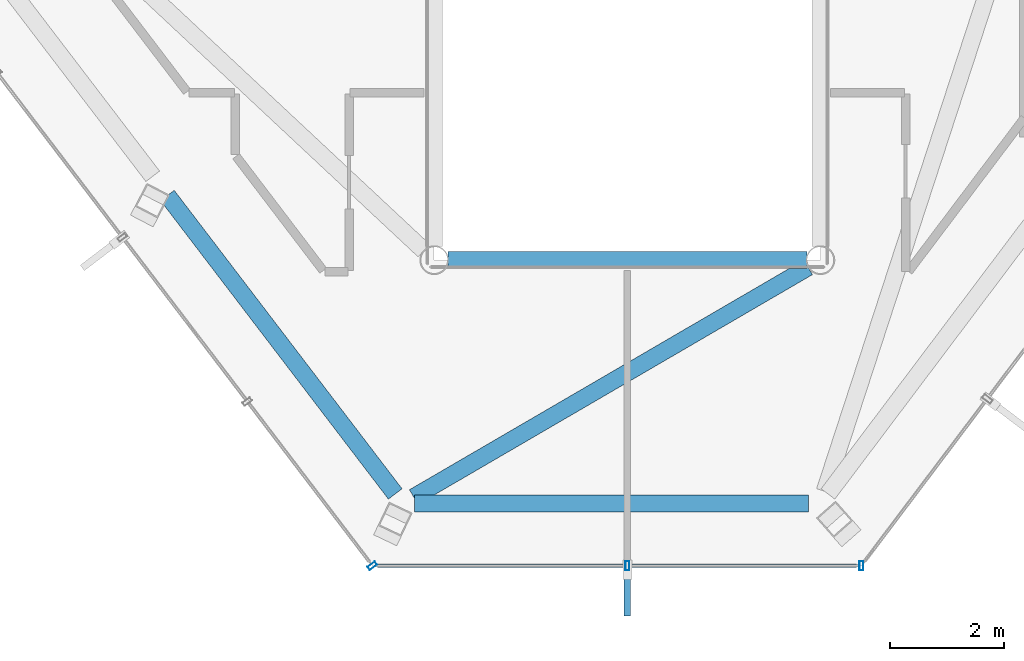
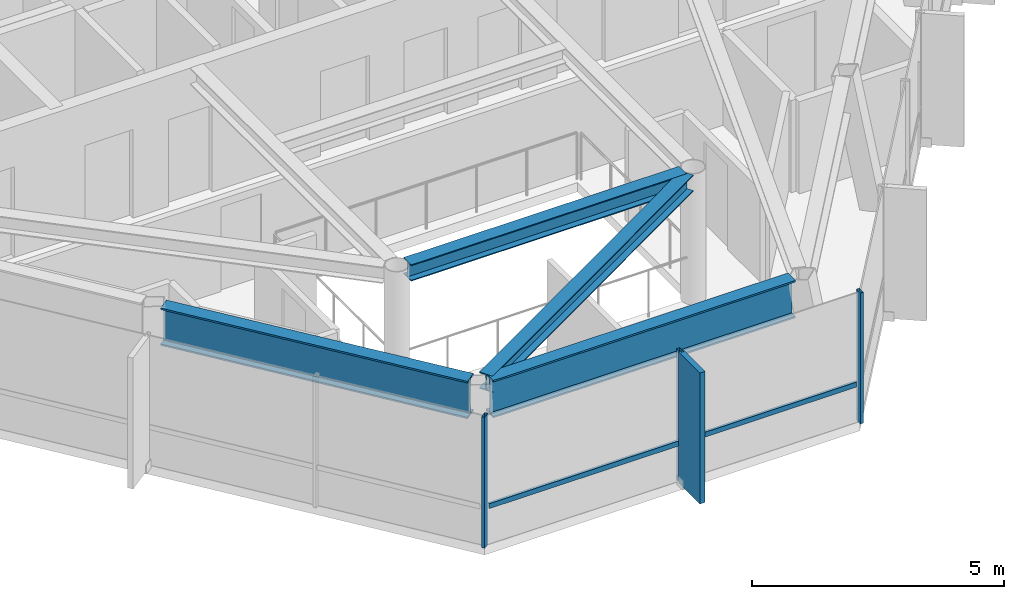
# One storey, part 5 of 21: 5 members, 4 beams, 2 elements without a shape of their own.
"""IFC4 building model written with IfcOpenShell, lengths in metres."""

from ifc_helpers import new_model, si_unit, direction, frame, origin, origin_2d, place, context, subcontext, project, spatial, rectangle, hollow_rectangle, i_section, extrude, material, layer, layer_set, material_profile, profile_set, type_object, element, aggregate, save


model = new_model("IFC4")

# Units and contexts
model_context = context("Model", 3, precision=1e-05, world=origin(), true_north=direction((0.0, 1.0)))
body_context = subcontext(model_context, "Body", "Model", "MODEL_VIEW")
ifc_project = project(units=[si_unit("LENGTHUNIT", "METRE"), si_unit("AREAUNIT", "SQUARE_METRE"), si_unit("VOLUMEUNIT", "CUBIC_METRE"), si_unit("PLANEANGLEUNIT", "RADIAN"), si_unit("MASSUNIT", "GRAM", prefix="KILO")], contexts=[model_context])

# Site, building, storey
site_placement = place(None, origin())
site = spatial("IfcSite", under=ifc_project, at=site_placement, CompositionType="ELEMENT")
building_placement = place(site_placement, origin())
building = spatial("IfcBuilding", under=site, at=building_placement, Name="Zarrinselat Tower", CompositionType="ELEMENT")
storey_placement = place(building_placement, frame((0.0, 0.0, 285.60009765625)))
storey = spatial("IfcBuildingStorey", under=building, at=storey_placement, Name="L73", CompositionType="ELEMENT", Elevation=285.60009765625)

# Beams
ifc_material_1 = material(Name="Steel S355J2", Category="steel")
ifc_material_profile_1 = material_profile(ifc_material_1, i_section(OverallWidth=0.300048828125, OverallDepth=0.39990234375, WebThickness=0.013427734375, FlangeThickness=0.02392578125, at=origin_2d()), Name="HEB 400")
ifc_profile_set_1 = profile_set([ifc_material_profile_1], Name="Steel S355J2")
beam_type_1 = type_object("IfcBeamType", Name="BM-HEB400", PredefinedType="BEAM", material=ifc_profile_set_1)
beam_1_placement = place(storey_placement, frame((35.239990234375, 25.199951171875, 2.97998046875), z_axis=(1.0, 0.0, 0.0), x_axis=(0.0, 1.0, 0.0)))
element("IfcBeam", 1, at=beam_1_placement, inside=storey, type_object=beam_type_1, Name="L73 Atrium Edge Beam S", PredefinedType="BEAM", context=body_context, shape_type="SweptSolid", body=[
    extrude(i_section(OverallWidth=0.300048828125, OverallDepth=0.39990234375, WebThickness=0.013427734375, FlangeThickness=0.02392578125, at=origin_2d()), origin(), (0.0, 0.0, 1.0), 6.320068359375),
])
beam_2_placement = place(storey_placement, frame((34.63916015625, 21.028564453125, 2.97998046875), z_axis=(0.864076215009, 0.503360998345, 0.0), x_axis=(-0.503360998345, 0.864076215009, 0.0)))
element("IfcBeam", 2, at=beam_2_placement, inside=storey, type_object=beam_type_1, Name="L73 Radial Primary Girder RG10", PredefinedType="BEAM", context=body_context, shape_type="SweptSolid", body=[
    extrude(i_section(OverallWidth=0.300048828125, OverallDepth=0.39990234375, WebThickness=0.013427734375, FlangeThickness=0.02392578125, at=origin_2d()), origin(), (0.0, 0.0, 1.0), 8.037353515625),
])
ifc_material_2 = material(Name="Steel S460M", Category="steel")
ifc_material_profile_2 = material_profile(ifc_material_2, i_section(OverallWidth=0.302001953125, OverallDepth=0.909912109375, WebThickness=0.02099609375, FlangeThickness=0.0400390625, at=origin_2d()), Name="HEM 900")
ifc_profile_set_2 = profile_set([ifc_material_profile_2], Name="Steel S460M")
beam_type_2 = type_object("IfcBeamType", Name="BM-HEM900", PredefinedType="BEAM", material=ifc_profile_set_2)
beam_3_placement = place(storey_placement, frame((30.3017578125, 26.3388671875, 2.724853515625), z_axis=(0.606819456319, -0.794839699205, 0.0), x_axis=(0.794839699205, 0.606819456319, 0.0)))
element("IfcBeam", 3, at=beam_3_placement, inside=storey, type_object=beam_type_2, Name="L73 Perimeter Spandrel Girder SP09", PredefinedType="BEAM", context=body_context, shape_type="SweptSolid", body=[
    extrude(i_section(OverallWidth=0.302001953125, OverallDepth=0.909912109375, WebThickness=0.02099609375, FlangeThickness=0.0400390625, at=origin_2d()), origin(), (0.0, 0.0, 1.0), 6.61181640625),
])
beam_4_placement = place(storey_placement, frame((34.656005859375, 20.914306640625, 2.724853515625), z_axis=(1.0, 0.0, 0.0), x_axis=(0.0, 1.0, 0.0)))
element("IfcBeam", 4, at=beam_4_placement, inside=storey, type_object=beam_type_2, Name="L73 Perimeter Spandrel Girder SP10", PredefinedType="BEAM", context=body_context, shape_type="SweptSolid", body=[
    extrude(i_section(OverallWidth=0.302001953125, OverallDepth=0.909912109375, WebThickness=0.02099609375, FlangeThickness=0.0400390625, at=origin_2d()), origin(), (0.0, 0.0, 1.0), 6.9365234375),
])

# Curtain wall, member
ifc_material_3 = material(Name="Extruded Aluminium Alloy EN AW-6063 T6", Category="aluminium")
ifc_layer = layer(ifc_material_3, 0.169921875)
ifc_layer_set = layer_set([ifc_layer], Name="Extruded Aluminium Alloy EN AW-6063 T6")
curtain_wall_type = type_object("IfcCurtainWallType", Name="CWS-RES", PredefinedType="NOTDEFINED", material=ifc_layer_set)
curtain_wall_1_placement = place(storey_placement, origin())
curtain_wall_1 = element("IfcCurtainWall", 5, at=curtain_wall_1_placement, inside=storey, type_object=curtain_wall_type, Name="L73 Unitised Curtain Wall CW-L73-E03", PredefinedType="NOTDEFINED")
ifc_material_4 = material(Name="Extruded Aluminium Alloy EN AW-6063 T6", Category="aluminium")
ifc_material_profile_3 = material_profile(ifc_material_4, hollow_rectangle(XDim=0.070068359375, YDim=0.159912109375, WallThickness=0.00390625, at=origin_2d()), Name="RHS 160x70x4")
ifc_profile_set_3 = profile_set([ifc_material_profile_3], Name="Extruded Aluminium Alloy EN AW-6063 T6")
member_type_1 = type_object("IfcMemberType", Name="MEM-CW-MUL2", PredefinedType="MULLION", material=ifc_profile_set_3)
member_1_placement = place(storey_placement, frame((33.909912109375, 19.819091796875, 0.0), z_axis=(0.0, 0.0, 1.0), x_axis=(0.60576733126, -0.795641841772, 0.0)))
member_1 = element("IfcMember", 6, at=member_1_placement, type_object=member_type_1, Name="CW-L73-E03 Mullion 9", PredefinedType="MULLION", context=body_context, shape_type="SweptSolid", body=[
    extrude(hollow_rectangle(XDim=0.070068359375, YDim=0.159912109375, WallThickness=0.00390625, at=origin_2d()), origin(), (0.0, 0.0, 1.0), 3.179931640625),
])
aggregate(curtain_wall_1, [member_1])

# Curtain wall, members
curtain_wall_2_placement = place(storey_placement, origin())
curtain_wall_2 = element("IfcCurtainWall", 7, at=curtain_wall_2_placement, inside=storey, type_object=curtain_wall_type, Name="L73 Unitised Curtain Wall CW-L73-E04", PredefinedType="NOTDEFINED")
member_2_placement = place(storey_placement, frame((38.39990234375, 19.819091796875, 0.0), z_axis=(0.0, 0.0, 1.0), x_axis=(1.0, 0.0, 0.0)))
member_2 = element("IfcMember", 8, at=member_2_placement, type_object=member_type_1, Name="CW-L73-E04 Mullion 1", PredefinedType="MULLION", context=body_context, shape_type="SweptSolid", body=[
    extrude(hollow_rectangle(XDim=0.070068359375, YDim=0.159912109375, WallThickness=0.00390625, at=origin_2d()), origin(), (0.0, 0.0, 1.0), 3.179931640625),
])
member_3_placement = place(storey_placement, frame((42.522705078125, 19.819091796875, 0.0), z_axis=(0.0, 0.0, 1.0), x_axis=(1.0, 0.0, 0.0)))
member_3 = element("IfcMember", 9, at=member_3_placement, type_object=member_type_1, Name="CW-L73-E04 Mullion 2", PredefinedType="MULLION", context=body_context, shape_type="SweptSolid", body=[
    extrude(hollow_rectangle(XDim=0.070068359375, YDim=0.159912109375, WallThickness=0.00390625, at=origin_2d()), origin(), (0.0, 0.0, 1.0), 3.179931640625),
])
ifc_material_5 = material(Name="Extruded Aluminium Alloy EN AW-6063 T6", Category="aluminium")
ifc_material_profile_4 = material_profile(ifc_material_5, hollow_rectangle(XDim=0.06005859375, YDim=0.1201171875, WallThickness=0.00390625, at=origin_2d()), Name="RHS 120x60x4")
ifc_profile_set_4 = profile_set([ifc_material_profile_4], Name="Extruded Aluminium Alloy EN AW-6063 T6")
member_type_2 = type_object("IfcMemberType", Name="MEM-CW-TRN2", PredefinedType="USERDEFINED", material=ifc_profile_set_4)
member_4_placement = place(storey_placement, frame((34.0, 19.819091796875, 0.949951171875), z_axis=(1.0, 0.0, 0.0), x_axis=(0.0, 1.0, 0.0)))
member_4 = element("IfcMember", 10, at=member_4_placement, type_object=member_type_2, Name="CW-L73-E04 Transom 1", ObjectType="TRANSOM", PredefinedType="USERDEFINED", context=body_context, shape_type="SweptSolid", body=[
    extrude(hollow_rectangle(XDim=0.06005859375, YDim=0.1201171875, WallThickness=0.00390625, at=origin_2d()), origin(), (0.0, 0.0, 1.0), 8.432861328125),
])
ifc_material_6 = material(Name="Honed Cream Travertine Stone", Category="masonry")
ifc_material_profile_5 = material_profile(ifc_material_6, rectangle(XDim=0.1201171875, YDim=0.85009765625, at=origin_2d()), Name="FIN 850x120")
ifc_profile_set_5 = profile_set([ifc_material_profile_5], Name="Honed Cream Travertine Stone")
member_type_3 = type_object("IfcMemberType", Name="MEM-STONE-FIN", PredefinedType="USERDEFINED", material=ifc_profile_set_5)
member_5_placement = place(storey_placement, frame((38.39990234375, 19.359130859375, 0.0), z_axis=(0.0, 0.0, 1.0), x_axis=(-1.0, 0.0, 0.0)))
member_5 = element("IfcMember", 11, at=member_5_placement, type_object=member_type_3, Name="L73 Stone Shading Fin CW-L73-E04-01", ObjectType="FIN", PredefinedType="USERDEFINED", context=body_context, shape_type="SweptSolid", body=[
    extrude(rectangle(XDim=0.1201171875, YDim=0.85009765625, at=origin_2d()), origin(), (0.0, 0.0, 1.0), 3.179931640625),
])
aggregate(curtain_wall_2, [member_2, member_5, member_3, member_4])

save(model, "model.ifc")
